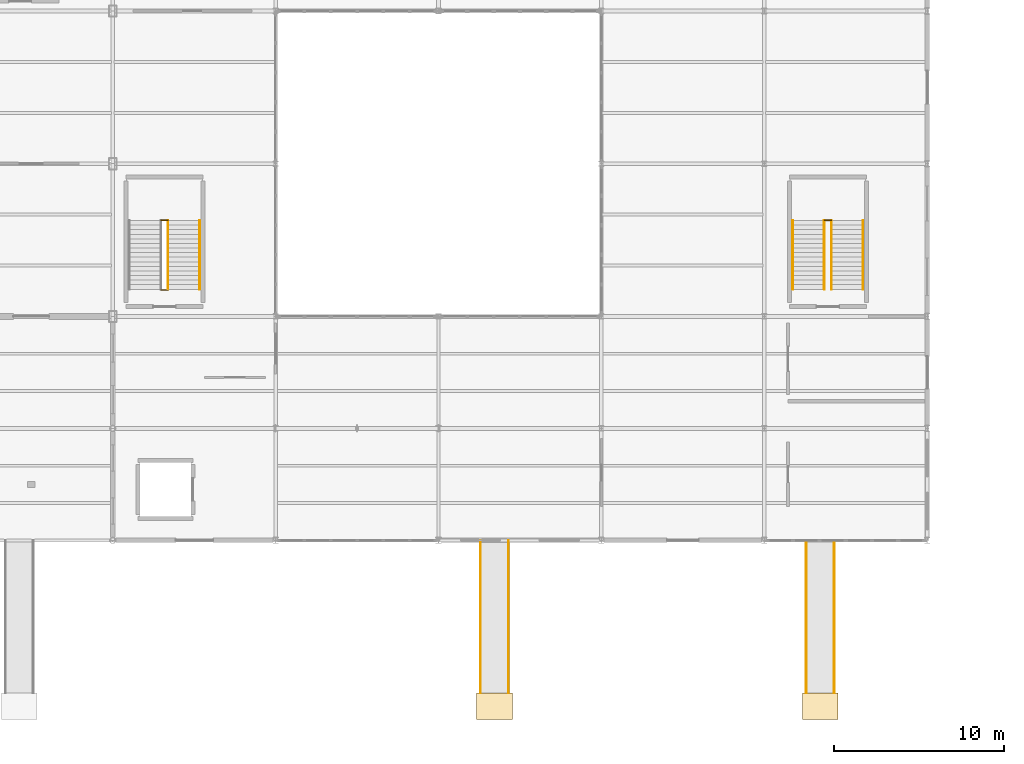
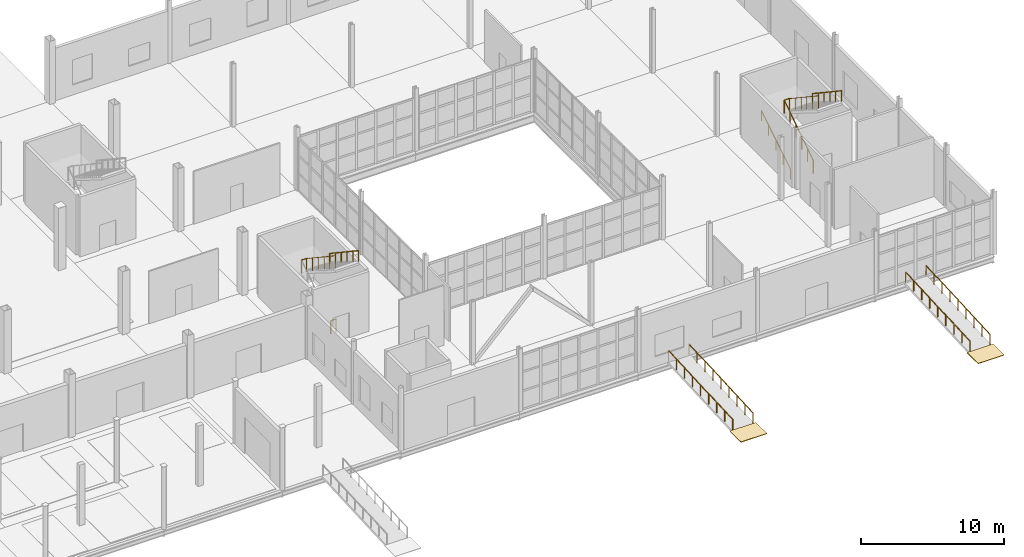
# One storey, part 83 of 85: 13 railings, 2 coverings.
"""IFC4 building model written with IfcOpenShell, lengths in metres."""

from ifc_helpers import new_model, si_unit, direction, frame, origin, origin_2d, place, context, subcontext, project, spatial, polyline, circle, outline, extrude, material, layer, layer_set, type_object, element, save


model = new_model("IFC4")

# Units and contexts
model_context = context("Model", 3, precision=1e-05, world=origin(), true_north=direction((0.0, 1.0)))
body_context = subcontext(model_context, "Body", "Model", "MODEL_VIEW")
ifc_project = project(units=[si_unit("LENGTHUNIT", "METRE"), si_unit("AREAUNIT", "SQUARE_METRE"), si_unit("VOLUMEUNIT", "CUBIC_METRE"), si_unit("PLANEANGLEUNIT", "RADIAN"), si_unit("MASSUNIT", "GRAM", prefix="KILO")], contexts=[model_context])

# Site, building, storey
site_placement = place(None, origin())
site = spatial("IfcSite", under=ifc_project, at=site_placement, CompositionType="ELEMENT")
building_placement = place(site_placement, origin())
building = spatial("IfcBuilding", under=site, at=building_placement, Name="Zarnetskaya Central Station", CompositionType="ELEMENT")
storey_placement = place(building_placement, origin())
storey = spatial("IfcBuildingStorey", under=building, at=storey_placement, Name="L00", CompositionType="ELEMENT", Elevation=0.0)

# Coverings
ifc_material_1 = material(Name="Granite stone sidewalk paving", Category="masonry")
ifc_layer = layer(ifc_material_1, 0.050048828125, Name="Granite stone sidewalk paving", Category="masonry")
ifc_layer_set = layer_set([ifc_layer], Name="Granite stone sidewalk paving")
covering_type = type_object("IfcCoveringType", Name="COV-PAVING", PredefinedType="USERDEFINED", material=ifc_layer_set)
covering_1_placement = place(storey_placement, frame((0.0, 0.0, -0.5)))
element("IfcCovering", 1, at=covering_1_placement, inside=storey, type_object=covering_type, Name="Accessible ramp lower landing paving RM-04", ObjectType="PAVING", PredefinedType="USERDEFINED", context=body_context, shape_type="SweptSolid", body=[
    extrude(outline(polyline([(146.25, -10.550048828125), (148.35009765625, -10.550048828125), (148.35009765625, -9.0), (146.25, -9.0), (146.25, -10.550048828125)])), origin(), (0.0, 0.0, 1.0), 0.050048828125),
])
covering_2_placement = place(storey_placement, frame((0.0, 0.0, -0.5)))
element("IfcCovering", 2, at=covering_2_placement, inside=storey, type_object=covering_type, Name="Accessible ramp lower landing paving RM-05", ObjectType="PAVING", PredefinedType="USERDEFINED", context=body_context, shape_type="SweptSolid", body=[
    extrude(outline(polyline([(165.449951171875, -10.550048828125), (167.550048828125, -10.550048828125), (167.550048828125, -9.0), (165.449951171875, -9.0), (165.449951171875, -10.550048828125)])), origin(), (0.0, 0.0, 1.0), 0.050048828125),
])

# Railings
ifc_material_2 = material(Name="Steel S355", Category="steel")
railing_type_1 = type_object("IfcRailingType", Name="RAIL-HAND-900", PredefinedType="HANDRAIL", material=ifc_material_2)
railing_1_placement = place(storey_placement, frame((129.919921875, 18.85009765625, 2.699951171875)))
element("IfcRailing", 3, at=railing_1_placement, inside=storey, type_object=railing_type_1, Name="Stair ST-V1 L00 flight 2 handrail", PredefinedType="HANDRAIL", context=body_context, shape_type="SweptSolid", body=[
    extrude(circle(Radius=0.02392578125, at=origin_2d()), frame((0.0, 0.0, 0.8759765625), z_axis=(0.0, -0.832058010752, 0.55468862143), x_axis=(1.0, 0.0, 0.0)), (0.0, 0.0, 1.0), 4.867431640625),
    extrude(circle(Radius=0.02099609375, at=origin_2d()), origin(), (0.0, 0.0, 1.0), 0.851806640625),
    extrude(circle(Radius=0.02099609375, at=origin_2d()), frame((0.0, -0.81005859375, 0.5400390625)), (0.0, 0.0, 1.0), 0.851806640625),
    extrude(circle(Radius=0.02099609375, at=origin_2d()), frame((0.0, -1.6201171875, 1.080078125)), (0.0, 0.0, 1.0), 0.851806640625),
    extrude(circle(Radius=0.02099609375, at=origin_2d()), frame((0.0, -2.429931640625, 1.619873046875)), (0.0, 0.0, 1.0), 0.851806640625),
    extrude(circle(Radius=0.02099609375, at=origin_2d()), frame((0.0, -3.239990234375, 2.159912109375)), (0.0, 0.0, 1.0), 0.851806640625),
    extrude(circle(Radius=0.02099609375, at=origin_2d()), frame((0.0, -4.050048828125, 2.699951171875)), (0.0, 0.0, 1.0), 0.851806640625),
])
railing_2_placement = place(storey_placement, frame((164.8798828125, 14.800048828125, 0.168701171875)))
element("IfcRailing", 4, at=railing_2_placement, inside=storey, type_object=railing_type_1, Name="Stair ST-V2 L00 flight 1 handrail", PredefinedType="HANDRAIL", context=body_context, shape_type="SweptSolid", body=[
    extrude(circle(Radius=0.02392578125, at=origin_2d()), frame((0.0, 0.0, 0.8759765625), z_axis=(0.0, 0.848001175806, 0.529994345094), x_axis=(-1.0, 0.0, 0.0)), (0.0, 0.0, 1.0), 4.77587890625),
    extrude(circle(Radius=0.02099609375, at=origin_2d()), origin(), (0.0, 0.0, 1.0), 0.851806640625),
    extrude(circle(Radius=0.02099609375, at=origin_2d()), frame((0.0, 1.012451171875, 0.6328125)), (0.0, 0.0, 1.0), 0.851806640625),
    extrude(circle(Radius=0.02099609375, at=origin_2d()), frame((0.0, 2.02490234375, 1.265625)), (0.0, 0.0, 1.0), 0.851806640625),
    extrude(circle(Radius=0.02099609375, at=origin_2d()), frame((0.0, 3.03759765625, 1.8984375)), (0.0, 0.0, 1.0), 0.851806640625),
    extrude(circle(Radius=0.02099609375, at=origin_2d()), frame((0.0, 4.050048828125, 2.53125)), (0.0, 0.0, 1.0), 0.851806640625),
])
railing_3_placement = place(storey_placement, frame((169.02001953125, 18.85009765625, 2.699951171875)))
element("IfcRailing", 5, at=railing_3_placement, inside=storey, type_object=railing_type_1, Name="Stair ST-V2 L00 flight 2 handrail", PredefinedType="HANDRAIL", context=body_context, shape_type="SweptSolid", body=[
    extrude(circle(Radius=0.02392578125, at=origin_2d()), frame((0.0, 0.0, 0.8759765625), z_axis=(0.0, -0.832058010752, 0.55468862143), x_axis=(1.0, 0.0, 0.0)), (0.0, 0.0, 1.0), 4.867431640625),
    extrude(circle(Radius=0.02099609375, at=origin_2d()), origin(), (0.0, 0.0, 1.0), 0.851806640625),
    extrude(circle(Radius=0.02099609375, at=origin_2d()), frame((0.0, -0.81005859375, 0.5400390625)), (0.0, 0.0, 1.0), 0.851806640625),
    extrude(circle(Radius=0.02099609375, at=origin_2d()), frame((0.0, -1.6201171875, 1.080078125)), (0.0, 0.0, 1.0), 0.851806640625),
    extrude(circle(Radius=0.02099609375, at=origin_2d()), frame((0.0, -2.429931640625, 1.619873046875)), (0.0, 0.0, 1.0), 0.851806640625),
    extrude(circle(Radius=0.02099609375, at=origin_2d()), frame((0.0, -3.239990234375, 2.159912109375)), (0.0, 0.0, 1.0), 0.851806640625),
    extrude(circle(Radius=0.02099609375, at=origin_2d()), frame((0.0, -4.050048828125, 2.699951171875)), (0.0, 0.0, 1.0), 0.851806640625),
])
railing_type_2 = type_object("IfcRailingType", Name="RAIL-HAND-EXT", PredefinedType="HANDRAIL", material=ifc_material_2)
for number, where, name in (
    (6, (146.47998046875, -9.0, -0.449951171875), "Accessible ramp handrail RM-04-L"),
    (7, (148.1201171875, -9.0, -0.449951171875), "Accessible ramp handrail RM-04-R"),
    (8, (165.679931640625, -9.0, -0.449951171875), "Accessible ramp handrail RM-05-L"),
    (9, (167.320068359375, -9.0, -0.449951171875), "Accessible ramp handrail RM-05-R"),
):
    element("IfcRailing", number, at=place(storey_placement, frame(where)), inside=storey, type_object=railing_type_2, Name=name, PredefinedType="HANDRAIL", context=body_context, shape_type="SweptSolid", body=[
        extrude(circle(Radius=0.02392578125, at=origin_2d()), frame((0.0, 0.0, 0.89599609375), z_axis=(0.0, 0.998752609117, 0.049932211876), x_axis=(-1.0, 0.0, 0.0)), (0.0, 0.0, 1.0), 9.01123046875),
        extrude(circle(Radius=0.02099609375, at=origin_2d()), origin(), (0.0, 0.0, 1.0), 0.871826171875),
        extrude(circle(Radius=0.02099609375, at=origin_2d()), frame((0.0, 1.125, 0.05615234375)), (0.0, 0.0, 1.0), 0.871826171875),
        extrude(circle(Radius=0.02099609375, at=origin_2d()), frame((0.0, 2.25, 0.112548828125)), (0.0, 0.0, 1.0), 0.871826171875),
        extrude(circle(Radius=0.02099609375, at=origin_2d()), frame((0.0, 3.375, 0.168701171875)), (0.0, 0.0, 1.0), 0.871826171875),
        extrude(circle(Radius=0.02099609375, at=origin_2d()), frame((0.0, 4.5, 0.22509765625)), (0.0, 0.0, 1.0), 0.871826171875),
        extrude(circle(Radius=0.02099609375, at=origin_2d()), frame((0.0, 5.625, 0.28125)), (0.0, 0.0, 1.0), 0.871826171875),
        extrude(circle(Radius=0.02099609375, at=origin_2d()), frame((0.0, 6.75, 0.33740234375)), (0.0, 0.0, 1.0), 0.871826171875),
        extrude(circle(Radius=0.02099609375, at=origin_2d()), frame((0.0, 7.875, 0.393798828125)), (0.0, 0.0, 1.0), 0.871826171875),
        extrude(circle(Radius=0.02099609375, at=origin_2d()), frame((0.0, 9.0, 0.449951171875)), (0.0, 0.0, 1.0), 0.871826171875),
    ])
railing_type_3 = type_object("IfcRailingType", Name="RAIL-STAIR-GRD", PredefinedType="BALUSTRADE", material=ifc_material_2)
for number, where, name in (
    (10, (127.639892578125, 14.760009765625, 0.0), "Stair ST-V1 L00 floor well guard"),
    (11, (127.639892578125, 18.8701171875, 2.699951171875), "Stair ST-V1 L00 half-landing well guard"),
):
    element("IfcRailing", number, at=place(storey_placement, frame(where)), inside=storey, type_object=railing_type_3, Name=name, PredefinedType="BALUSTRADE", context=body_context, shape_type="SweptSolid", body=[
        extrude(circle(Radius=0.02392578125, at=origin_2d()), frame((0.0, 0.0, 1.09619140625), z_axis=(1.0, 0.0, 0.0), x_axis=(0.0, 1.0, 0.0)), (0.0, 0.0, 1.0), 0.420166015625),
        extrude(circle(Radius=0.02099609375, at=origin_2d()), origin(), (0.0, 0.0, 1.0), 1.072021484375),
        extrude(circle(Radius=0.02099609375, at=origin_2d()), frame((0.420166015625, 0.0, 0.0)), (0.0, 0.0, 1.0), 1.072021484375),
    ])
railing_4_placement = place(storey_placement, frame((128.06005859375, 18.85009765625, 2.699951171875)))
element("IfcRailing", 12, at=railing_4_placement, inside=storey, type_object=railing_type_3, Name="Stair ST-V1 L00 flight 2 well guard", PredefinedType="BALUSTRADE", context=body_context, shape_type="SweptSolid", body=[
    extrude(circle(Radius=0.02392578125, at=origin_2d()), frame((0.0, 0.0, 1.09619140625), z_axis=(0.0, -0.832058010752, 0.55468862143), x_axis=(1.0, 0.0, 0.0)), (0.0, 0.0, 1.0), 4.867431640625),
    extrude(circle(Radius=0.02099609375, at=origin_2d()), origin(), (0.0, 0.0, 1.0), 1.072021484375),
    extrude(circle(Radius=0.02099609375, at=origin_2d()), frame((0.0, -0.81005859375, 0.5400390625)), (0.0, 0.0, 1.0), 1.072021484375),
    extrude(circle(Radius=0.02099609375, at=origin_2d()), frame((0.0, -1.6201171875, 1.080078125)), (0.0, 0.0, 1.0), 1.072021484375),
    extrude(circle(Radius=0.02099609375, at=origin_2d()), frame((0.0, -2.429931640625, 1.619873046875)), (0.0, 0.0, 1.0), 1.072021484375),
    extrude(circle(Radius=0.02099609375, at=origin_2d()), frame((0.0, -3.239990234375, 2.159912109375)), (0.0, 0.0, 1.0), 1.072021484375),
    extrude(circle(Radius=0.02099609375, at=origin_2d()), frame((0.0, -4.050048828125, 2.699951171875)), (0.0, 0.0, 1.0), 1.072021484375),
])
railing_5_placement = place(storey_placement, frame((166.739990234375, 14.800048828125, 0.0)))
element("IfcRailing", 13, at=railing_5_placement, inside=storey, type_object=railing_type_3, Name="Stair ST-V2 L00 flight 1 well guard", PredefinedType="BALUSTRADE", context=body_context, shape_type="SweptSolid", body=[
    extrude(circle(Radius=0.02392578125, at=origin_2d()), frame((0.0, 0.0, 1.09619140625), z_axis=(0.0, 0.832058010752, 0.55468862143), x_axis=(-1.0, 0.0, 0.0)), (0.0, 0.0, 1.0), 4.867431640625),
    extrude(circle(Radius=0.02099609375, at=origin_2d()), origin(), (0.0, 0.0, 1.0), 1.072021484375),
    extrude(circle(Radius=0.02099609375, at=origin_2d()), frame((0.0, 0.81005859375, 0.5400390625)), (0.0, 0.0, 1.0), 1.072021484375),
    extrude(circle(Radius=0.02099609375, at=origin_2d()), frame((0.0, 1.6201171875, 1.080078125)), (0.0, 0.0, 1.0), 1.072021484375),
    extrude(circle(Radius=0.02099609375, at=origin_2d()), frame((0.0, 2.429931640625, 1.619873046875)), (0.0, 0.0, 1.0), 1.072021484375),
    extrude(circle(Radius=0.02099609375, at=origin_2d()), frame((0.0, 3.239990234375, 2.159912109375)), (0.0, 0.0, 1.0), 1.072021484375),
    extrude(circle(Radius=0.02099609375, at=origin_2d()), frame((0.0, 4.050048828125, 2.699951171875)), (0.0, 0.0, 1.0), 1.072021484375),
])
railing_6_placement = place(storey_placement, frame((166.739990234375, 18.8701171875, 2.699951171875)))
element("IfcRailing", 14, at=railing_6_placement, inside=storey, type_object=railing_type_3, Name="Stair ST-V2 L00 half-landing well guard", PredefinedType="BALUSTRADE", context=body_context, shape_type="SweptSolid", body=[
    extrude(circle(Radius=0.02392578125, at=origin_2d()), frame((0.0, 0.0, 1.09619140625), z_axis=(1.0, 0.0, 0.0), x_axis=(0.0, 1.0, 0.0)), (0.0, 0.0, 1.0), 0.419921875),
    extrude(circle(Radius=0.02099609375, at=origin_2d()), origin(), (0.0, 0.0, 1.0), 1.072021484375),
    extrude(circle(Radius=0.02099609375, at=origin_2d()), frame((0.419921875, 0.0, 0.0)), (0.0, 0.0, 1.0), 1.072021484375),
])
railing_7_placement = place(storey_placement, frame((167.159912109375, 18.85009765625, 2.699951171875)))
element("IfcRailing", 15, at=railing_7_placement, inside=storey, type_object=railing_type_3, Name="Stair ST-V2 L00 flight 2 well guard", PredefinedType="BALUSTRADE", context=body_context, shape_type="SweptSolid", body=[
    extrude(circle(Radius=0.02392578125, at=origin_2d()), frame((0.0, 0.0, 1.09619140625), z_axis=(0.0, -0.832058010752, 0.55468862143), x_axis=(1.0, 0.0, 0.0)), (0.0, 0.0, 1.0), 4.867431640625),
    extrude(circle(Radius=0.02099609375, at=origin_2d()), origin(), (0.0, 0.0, 1.0), 1.072021484375),
    extrude(circle(Radius=0.02099609375, at=origin_2d()), frame((0.0, -0.81005859375, 0.5400390625)), (0.0, 0.0, 1.0), 1.072021484375),
    extrude(circle(Radius=0.02099609375, at=origin_2d()), frame((0.0, -1.6201171875, 1.080078125)), (0.0, 0.0, 1.0), 1.072021484375),
    extrude(circle(Radius=0.02099609375, at=origin_2d()), frame((0.0, -2.429931640625, 1.619873046875)), (0.0, 0.0, 1.0), 1.072021484375),
    extrude(circle(Radius=0.02099609375, at=origin_2d()), frame((0.0, -3.239990234375, 2.159912109375)), (0.0, 0.0, 1.0), 1.072021484375),
    extrude(circle(Radius=0.02099609375, at=origin_2d()), frame((0.0, -4.050048828125, 2.699951171875)), (0.0, 0.0, 1.0), 1.072021484375),
])

save(model, "model.ifc")
